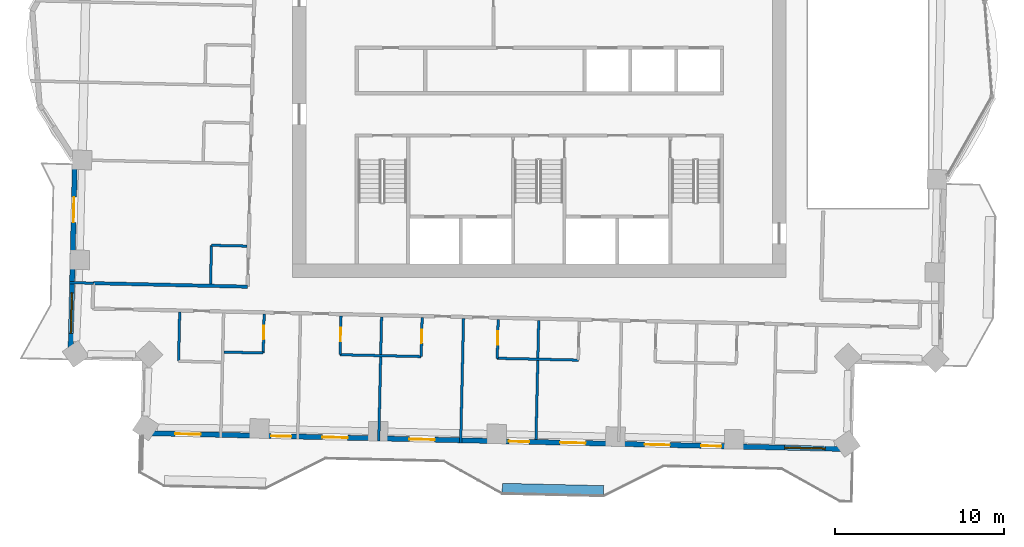
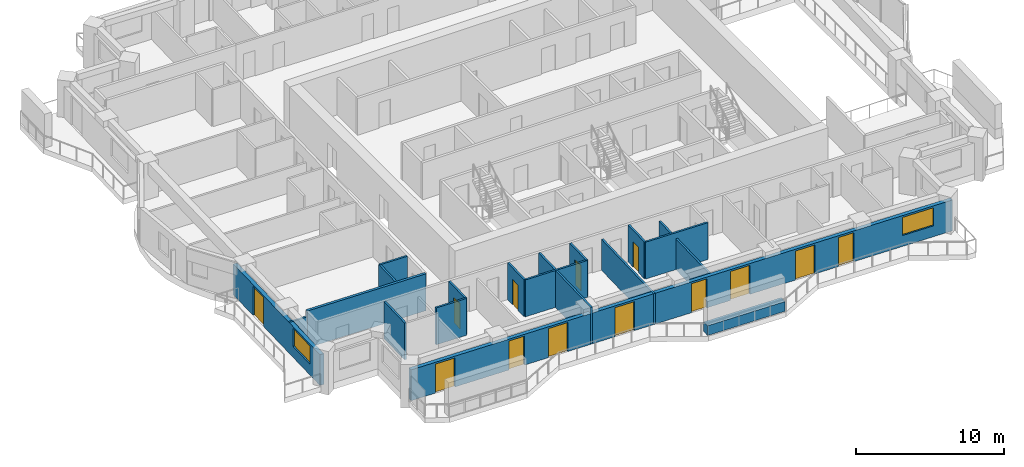
# One storey, part 4 of 14: 18 walls, 13 doors, 2 windows, 15 openings.
"""IFC4 building model written with IfcOpenShell, lengths in metres."""

from ifc_helpers import new_model, si_unit, direction, frame, frame_2d, origin, place, context, subcontext, project, spatial, rectangle, extrude, material, layer, layer_set, type_object, element, fill, save


model = new_model("IFC4")

# Units and contexts
model_context = context("Model", 3, precision=1e-05, world=origin(), true_north=direction((0.0, 1.0)))
body_context = subcontext(model_context, "Body", "Model", "MODEL_VIEW")
ifc_project = project(units=[si_unit("LENGTHUNIT", "METRE"), si_unit("AREAUNIT", "SQUARE_METRE"), si_unit("VOLUMEUNIT", "CUBIC_METRE"), si_unit("PLANEANGLEUNIT", "RADIAN"), si_unit("MASSUNIT", "GRAM", prefix="KILO")], contexts=[model_context])

# Site, building, storey
site_placement = place(None, origin())
site = spatial("IfcSite", under=ifc_project, at=site_placement, CompositionType="ELEMENT")
building_placement = place(site_placement, origin())
building = spatial("IfcBuilding", under=site, at=building_placement, Name="Mangrove Gate Tower", CompositionType="ELEMENT")
storey_placement = place(building_placement, frame((0.0, 0.0, 205.10009765625)))
storey = spatial("IfcBuildingStorey", under=building, at=storey_placement, Name="L52", CompositionType="ELEMENT", Elevation=205.10009765625)

# Wall
ifc_material_1 = material(Name="Gypsum board on steel stud, EI 60", Category="steel")
ifc_layer_1 = layer(ifc_material_1, 0.199951171875)
ifc_layer_set_1 = layer_set([ifc_layer_1], Name="Corridor wall EI 60")
wall_type_1 = type_object("IfcWallType", Name="Corridor wall EI 60", PredefinedType="PARTITIONING", material=ifc_layer_set_1)
wall_1_placement = place(storey_placement, frame((-26.386962890625, -11.94091796875, 0.0), z_axis=(0.0, 0.0, 1.0), x_axis=(0.999741076645, -0.022754772455, 0.0)))
element("IfcWall", 1, at=wall_1_placement, inside=storey, type_object=wall_type_1, Name="WALL-L52-028", PredefinedType="PARTITIONING", context=body_context, shape_type="SweptSolid", body=[
    extrude(rectangle(XDim=9.141357421875, YDim=0.199951171875, at=frame_2d((4.57080078125, 0.0))), origin(), (0.0, 0.0, 1.0), 3.0498046875),
])

# Wall, openings, door, window
ifc_material_2 = material(Name="Limestone", Category="masonry")
ifc_layer_2 = layer(ifc_material_2, 0.0400390625, Name="Limestone cladding")
ifc_material_3 = material(Name="Ventilated air gap")
ifc_layer_3 = layer(ifc_material_3, 0.0400390625, Name="Ventilated cavity")
ifc_material_4 = material(Name="Mineral wool insulation")
ifc_layer_4 = layer(ifc_material_4, 0.06005859375, Name="Insulation")
ifc_material_5 = material(Name="Breather membrane")
ifc_layer_5 = layer(ifc_material_5, 0.001953125, Name="Breather membrane")
ifc_material_6 = material(Name="Concrete C20/25 blockwork", Category="masonry")
ifc_layer_6 = layer(ifc_material_6, 0.14990234375, Name="Blockwork backing wall")
ifc_material_7 = material(Name="Gypsum plaster")
ifc_layer_7 = layer(ifc_material_7, 0.008056640625, Name="Internal plaster")
ifc_layer_set_2 = layer_set([ifc_layer_2, ifc_layer_3, ifc_layer_4, ifc_layer_5, ifc_layer_6, ifc_layer_7], Name="External wall 300 limestone cladding")
wall_type_2 = type_object("IfcWallType", Name="External wall 300 limestone cladding", PredefinedType="SOLIDWALL", material=ifc_layer_set_2)
wall_2_placement = place(storey_placement, frame((-27.458984375, -4.091064453125, 0.0), z_axis=(0.0, 0.0, 1.0), x_axis=(-0.022668325129, -0.999743040504, 0.0)))
wall_2 = element("IfcWall", 2, at=wall_2_placement, inside=storey, type_object=wall_type_2, Name="WALL-L52-W10s1", PredefinedType="SOLIDWALL", context=body_context, shape_type="SweptSolid", body=[
    extrude(rectangle(XDim=12.22412109375, YDim=0.300048828125, at=frame_2d((6.112060546875, 0.0))), origin(), (0.0, 0.0, 1.0), 2.5498046875),
])
opening_1_placement = place(wall_2_placement, frame((2.756103515625, 0.0, 0.0)))
opening_1 = element("IfcOpeningElement", 3, at=opening_1_placement, cuts=wall_2, Name="Opening BD1", PredefinedType="OPENING", context=body_context, shape_type="SweptSolid", body=[
    extrude(rectangle(XDim=1.5, YDim=2.39990234375, at=frame_2d((0.75, 1.199951171875))), frame((0.0, 0.159912109375, 0.0), z_axis=(0.0, -1.0, 0.0), x_axis=(1.0, 0.0, 0.0)), (0.0, 0.0, 1.0), 0.320068359375),
])
opening_2_placement = place(wall_2_placement, frame((8.425048828125, 0.0, 0.89990234375)))
opening_2 = element("IfcOpeningElement", 4, at=opening_2_placement, cuts=wall_2, Name="Opening W2", PredefinedType="OPENING", context=body_context, shape_type="SweptSolid", body=[
    extrude(rectangle(XDim=2.39990234375, YDim=1.5, at=frame_2d((1.199951171875, 0.75))), frame((0.0, 0.159912109375, 0.0), z_axis=(0.0, -1.0, 0.0), x_axis=(1.0, 0.0, 0.0)), (0.0, 0.0, 1.0), 0.320068359375),
])
ifc_material_8 = material(Name="Aluminium frame with laminated clear glass", Category="aluminium")
door_type_1 = type_object("IfcDoorType", Name="Balcony sliding door 1500x2400", OperationType="SLIDING_TO_LEFT", PredefinedType="DOOR", material=ifc_material_8)
door_1_placement = place(opening_1_placement, origin())
door_1 = element("IfcDoor", 5, at=door_1_placement, inside=storey, type_object=door_type_1, Name="DOOR-L52-W10-1", OperationType="SLIDING_TO_LEFT", OverallHeight=2.39990234375, OverallWidth=1.5, PredefinedType="DOOR", context=body_context, shape_type="SweptSolid", body=[
    extrude(rectangle(XDim=1.5, YDim=2.39990234375, at=frame_2d((0.75, 1.199951171875))), frame((0.0, 0.02490234375, 0.0), z_axis=(0.0, -1.0, 0.0), x_axis=(1.0, 0.0, 0.0)), (0.0, 0.0, 1.0), 0.050048828125),
])
fill(opening_1, door_1)
ifc_material_9 = material(Name="Aluminium frame with double-glazed low-e glass", Category="aluminium")
window_type = type_object("IfcWindowType", Name="Corner room window 2400x1500", PartitioningType="DOUBLE_PANEL_VERTICAL", PredefinedType="WINDOW", material=ifc_material_9)
window_1_placement = place(opening_2_placement, origin())
window_1 = element("IfcWindow", 6, at=window_1_placement, inside=storey, type_object=window_type, Name="WIN-L52-W10-2", OverallHeight=1.5, OverallWidth=2.39990234375, PartitioningType="DOUBLE_PANEL_VERTICAL", PredefinedType="WINDOW", context=body_context, shape_type="SweptSolid", body=[
    extrude(rectangle(XDim=2.39990234375, YDim=1.5, at=frame_2d((1.199951171875, 0.75))), frame((0.0, 0.030029296875, 0.0), z_axis=(0.0, -1.0, 0.0), x_axis=(1.0, 0.0, 0.0)), (0.0, 0.0, 1.0), 0.06005859375),
])
fill(opening_2, window_1)

# Wall, openings, doors, window
wall_3_placement = place(storey_placement, frame((-23.43701171875, -20.81005859375, 0.0), z_axis=(0.0, 0.0, 1.0), x_axis=(0.999742269115, -0.022702320244, 0.0)))
wall_3 = element("IfcWall", 7, at=wall_3_placement, inside=storey, type_object=wall_type_2, Name="WALL-L52-S13", PredefinedType="SOLIDWALL", context=body_context, shape_type="SweptSolid", body=[
    extrude(rectangle(XDim=41.84375, YDim=0.300048828125, at=frame_2d((20.921875, 0.0))), origin(), (0.0, 0.0, 1.0), 2.5498046875),
])
opening_3_placement = place(wall_3_placement, frame((1.89892578125, 0.0, 0.0)))
opening_3 = element("IfcOpeningElement", 8, at=opening_3_placement, cuts=wall_3, Name="Opening BD1", PredefinedType="OPENING", context=body_context, shape_type="SweptSolid", body=[
    extrude(rectangle(XDim=1.5, YDim=2.39990234375, at=frame_2d((0.75, 1.199951171875))), frame((0.0, 0.159912109375, 0.0), z_axis=(0.0, -1.0, 0.0), x_axis=(1.0, 0.0, 0.0)), (0.0, 0.0, 1.0), 0.320068359375),
])
opening_4_placement = place(wall_3_placement, frame((7.574951171875, 0.0, 0.0)))
opening_4 = element("IfcOpeningElement", 9, at=opening_4_placement, cuts=wall_3, Name="Opening BD2", PredefinedType="OPENING", context=body_context, shape_type="SweptSolid", body=[
    extrude(rectangle(XDim=1.199951171875, YDim=2.39990234375, at=frame_2d((0.60009765625, 1.199951171875))), frame((0.0, 0.159912109375, 0.0), z_axis=(0.0, -1.0, 0.0), x_axis=(1.0, 0.0, 0.0)), (0.0, 0.0, 1.0), 0.320068359375),
])
opening_5_placement = place(wall_3_placement, frame((10.612060546875, 0.0, 0.0)))
opening_5 = element("IfcOpeningElement", 10, at=opening_5_placement, cuts=wall_3, Name="Opening BD1", PredefinedType="OPENING", context=body_context, shape_type="SweptSolid", body=[
    extrude(rectangle(XDim=1.5, YDim=2.39990234375, at=frame_2d((0.75, 1.199951171875))), frame((0.0, 0.159912109375, 0.0), z_axis=(0.0, -1.0, 0.0), x_axis=(1.0, 0.0, 0.0)), (0.0, 0.0, 1.0), 0.320068359375),
])
opening_6_placement = place(wall_3_placement, frame((15.761962890625, 0.0, 0.0)))
opening_6 = element("IfcOpeningElement", 11, at=opening_6_placement, cuts=wall_3, Name="Opening BD1", PredefinedType="OPENING", context=body_context, shape_type="SweptSolid", body=[
    extrude(rectangle(XDim=1.5, YDim=2.39990234375, at=frame_2d((0.75, 1.199951171875))), frame((0.0, 0.159912109375, 0.0), z_axis=(0.0, -1.0, 0.0), x_axis=(1.0, 0.0, 0.0)), (0.0, 0.0, 1.0), 0.320068359375),
])
opening_7_placement = place(wall_3_placement, frame((21.64794921875, 0.0, 0.0)))
opening_7 = element("IfcOpeningElement", 12, at=opening_7_placement, cuts=wall_3, Name="Opening BD2", PredefinedType="OPENING", context=body_context, shape_type="SweptSolid", body=[
    extrude(rectangle(XDim=1.199951171875, YDim=2.39990234375, at=frame_2d((0.60009765625, 1.199951171875))), frame((0.0, 0.159912109375, 0.0), z_axis=(0.0, -1.0, 0.0), x_axis=(1.0, 0.0, 0.0)), (0.0, 0.0, 1.0), 0.320068359375),
])
opening_8_placement = place(wall_3_placement, frame((24.68505859375, 0.0, 0.0)))
opening_8 = element("IfcOpeningElement", 13, at=opening_8_placement, cuts=wall_3, Name="Opening BD1", PredefinedType="OPENING", context=body_context, shape_type="SweptSolid", body=[
    extrude(rectangle(XDim=1.5, YDim=2.39990234375, at=frame_2d((0.75, 1.199951171875))), frame((0.0, 0.159912109375, 0.0), z_axis=(0.0, -1.0, 0.0), x_axis=(1.0, 0.0, 0.0)), (0.0, 0.0, 1.0), 0.320068359375),
])
opening_9_placement = place(wall_3_placement, frame((29.68505859375, 0.0, 0.0)))
opening_9 = element("IfcOpeningElement", 14, at=opening_9_placement, cuts=wall_3, Name="Opening BD1", PredefinedType="OPENING", context=body_context, shape_type="SweptSolid", body=[
    extrude(rectangle(XDim=1.5, YDim=2.39990234375, at=frame_2d((0.75, 1.199951171875))), frame((0.0, 0.159912109375, 0.0), z_axis=(0.0, -1.0, 0.0), x_axis=(1.0, 0.0, 0.0)), (0.0, 0.0, 1.0), 0.320068359375),
])
opening_10_placement = place(wall_3_placement, frame((33.02197265625, 0.0, 0.0)))
opening_10 = element("IfcOpeningElement", 15, at=opening_10_placement, cuts=wall_3, Name="Opening BD2", PredefinedType="OPENING", context=body_context, shape_type="SweptSolid", body=[
    extrude(rectangle(XDim=1.199951171875, YDim=2.39990234375, at=frame_2d((0.60009765625, 1.199951171875))), frame((0.0, 0.159912109375, 0.0), z_axis=(0.0, -1.0, 0.0), x_axis=(1.0, 0.0, 0.0)), (0.0, 0.0, 1.0), 0.320068359375),
])
opening_11_placement = place(wall_3_placement, frame((37.97412109375, 0.0, 0.89990234375)))
opening_11 = element("IfcOpeningElement", 16, at=opening_11_placement, cuts=wall_3, Name="Opening W2", PredefinedType="OPENING", context=body_context, shape_type="SweptSolid", body=[
    extrude(rectangle(XDim=2.39990234375, YDim=1.5, at=frame_2d((1.199951171875, 0.75))), frame((0.0, 0.159912109375, 0.0), z_axis=(0.0, -1.0, 0.0), x_axis=(1.0, 0.0, 0.0)), (0.0, 0.0, 1.0), 0.320068359375),
])
ifc_material_10 = material(Name="Aluminium frame with laminated clear glass", Category="aluminium")
door_type_2 = type_object("IfcDoorType", Name="Balcony sliding door 1200x2400", OperationType="SLIDING_TO_LEFT", PredefinedType="DOOR", material=ifc_material_10)
door_2_placement = place(opening_4_placement, origin())
door_2 = element("IfcDoor", 17, at=door_2_placement, inside=storey, type_object=door_type_2, Name="DOOR-L52-S13-2", OperationType="SLIDING_TO_LEFT", OverallHeight=2.39990234375, OverallWidth=1.199951171875, PredefinedType="DOOR", context=body_context, shape_type="SweptSolid", body=[
    extrude(rectangle(XDim=1.199951171875, YDim=2.39990234375, at=frame_2d((0.60009765625, 1.199951171875))), frame((0.0, 0.02490234375, 0.0), z_axis=(0.0, -1.0, 0.0), x_axis=(1.0, 0.0, 0.0)), (0.0, 0.0, 1.0), 0.050048828125),
])
fill(opening_4, door_2)
door_3_placement = place(opening_7_placement, origin())
door_3 = element("IfcDoor", 18, at=door_3_placement, inside=storey, type_object=door_type_2, Name="DOOR-L52-S13-5", OperationType="SLIDING_TO_LEFT", OverallHeight=2.39990234375, OverallWidth=1.199951171875, PredefinedType="DOOR", context=body_context, shape_type="SweptSolid", body=[
    extrude(rectangle(XDim=1.199951171875, YDim=2.39990234375, at=frame_2d((0.60009765625, 1.199951171875))), frame((0.0, 0.02490234375, 0.0), z_axis=(0.0, -1.0, 0.0), x_axis=(1.0, 0.0, 0.0)), (0.0, 0.0, 1.0), 0.050048828125),
])
fill(opening_7, door_3)
door_4_placement = place(opening_10_placement, origin())
door_4 = element("IfcDoor", 19, at=door_4_placement, inside=storey, type_object=door_type_2, Name="DOOR-L52-S13-8", OperationType="SLIDING_TO_LEFT", OverallHeight=2.39990234375, OverallWidth=1.199951171875, PredefinedType="DOOR", context=body_context, shape_type="SweptSolid", body=[
    extrude(rectangle(XDim=1.199951171875, YDim=2.39990234375, at=frame_2d((0.60009765625, 1.199951171875))), frame((0.0, 0.02490234375, 0.0), z_axis=(0.0, -1.0, 0.0), x_axis=(1.0, 0.0, 0.0)), (0.0, 0.0, 1.0), 0.050048828125),
])
fill(opening_10, door_4)
door_5_placement = place(opening_3_placement, origin())
door_5 = element("IfcDoor", 20, at=door_5_placement, inside=storey, type_object=door_type_1, Name="DOOR-L52-S13-1", OperationType="SLIDING_TO_LEFT", OverallHeight=2.39990234375, OverallWidth=1.5, PredefinedType="DOOR", context=body_context, shape_type="SweptSolid", body=[
    extrude(rectangle(XDim=1.5, YDim=2.39990234375, at=frame_2d((0.75, 1.199951171875))), frame((0.0, 0.02490234375, 0.0), z_axis=(0.0, -1.0, 0.0), x_axis=(1.0, 0.0, 0.0)), (0.0, 0.0, 1.0), 0.050048828125),
])
fill(opening_3, door_5)
door_6_placement = place(opening_5_placement, origin())
door_6 = element("IfcDoor", 21, at=door_6_placement, inside=storey, type_object=door_type_1, Name="DOOR-L52-S13-3", OperationType="SLIDING_TO_LEFT", OverallHeight=2.39990234375, OverallWidth=1.5, PredefinedType="DOOR", context=body_context, shape_type="SweptSolid", body=[
    extrude(rectangle(XDim=1.5, YDim=2.39990234375, at=frame_2d((0.75, 1.199951171875))), frame((0.0, 0.02490234375, 0.0), z_axis=(0.0, -1.0, 0.0), x_axis=(1.0, 0.0, 0.0)), (0.0, 0.0, 1.0), 0.050048828125),
])
fill(opening_5, door_6)
door_7_placement = place(opening_6_placement, origin())
door_7 = element("IfcDoor", 22, at=door_7_placement, inside=storey, type_object=door_type_1, Name="DOOR-L52-S13-4", OperationType="SLIDING_TO_LEFT", OverallHeight=2.39990234375, OverallWidth=1.5, PredefinedType="DOOR", context=body_context, shape_type="SweptSolid", body=[
    extrude(rectangle(XDim=1.5, YDim=2.39990234375, at=frame_2d((0.75, 1.199951171875))), frame((0.0, 0.02490234375, 0.0), z_axis=(0.0, -1.0, 0.0), x_axis=(1.0, 0.0, 0.0)), (0.0, 0.0, 1.0), 0.050048828125),
])
fill(opening_6, door_7)
door_8_placement = place(opening_8_placement, origin())
door_8 = element("IfcDoor", 23, at=door_8_placement, inside=storey, type_object=door_type_1, Name="DOOR-L52-S13-6", OperationType="SLIDING_TO_LEFT", OverallHeight=2.39990234375, OverallWidth=1.5, PredefinedType="DOOR", context=body_context, shape_type="SweptSolid", body=[
    extrude(rectangle(XDim=1.5, YDim=2.39990234375, at=frame_2d((0.75, 1.199951171875))), frame((0.0, 0.02490234375, 0.0), z_axis=(0.0, -1.0, 0.0), x_axis=(1.0, 0.0, 0.0)), (0.0, 0.0, 1.0), 0.050048828125),
])
fill(opening_8, door_8)
door_9_placement = place(opening_9_placement, origin())
door_9 = element("IfcDoor", 24, at=door_9_placement, inside=storey, type_object=door_type_1, Name="DOOR-L52-S13-7", OperationType="SLIDING_TO_LEFT", OverallHeight=2.39990234375, OverallWidth=1.5, PredefinedType="DOOR", context=body_context, shape_type="SweptSolid", body=[
    extrude(rectangle(XDim=1.5, YDim=2.39990234375, at=frame_2d((0.75, 1.199951171875))), frame((0.0, 0.02490234375, 0.0), z_axis=(0.0, -1.0, 0.0), x_axis=(1.0, 0.0, 0.0)), (0.0, 0.0, 1.0), 0.050048828125),
])
fill(opening_9, door_9)
window_2_placement = place(opening_11_placement, origin())
window_2 = element("IfcWindow", 25, at=window_2_placement, inside=storey, type_object=window_type, Name="WIN-L52-S13-9", OverallHeight=1.5, OverallWidth=2.39990234375, PartitioningType="DOUBLE_PANEL_VERTICAL", PredefinedType="WINDOW", context=body_context, shape_type="SweptSolid", body=[
    extrude(rectangle(XDim=2.39990234375, YDim=1.5, at=frame_2d((1.199951171875, 0.75))), frame((0.0, 0.030029296875, 0.0), z_axis=(0.0, -1.0, 0.0), x_axis=(1.0, 0.0, 0.0)), (0.0, 0.0, 1.0), 0.06005859375),
])
fill(opening_11, window_2)

# Walls
ifc_material_11 = material(Name="Gypsum board on steel stud, EI 60", Category="steel")
ifc_layer_8 = layer(ifc_material_11, 0.14990234375)
ifc_layer_set_3 = layer_set([ifc_layer_8], Name="Party wall 150 EI 60")
wall_type_3 = type_object("IfcWallType", Name="Party wall 150 EI 60", PredefinedType="PARTITIONING", material=ifc_layer_set_3)
wall_4_placement = place(storey_placement, frame((-9.491943359375, -21.277099609375, 0.0), z_axis=(0.0, 0.0, 1.0), x_axis=(0.022719896304, 0.99974186984, 0.0)))
element("IfcWall", 26, at=wall_4_placement, inside=storey, type_object=wall_type_3, Name="WALL-L52-003", PredefinedType="PARTITIONING", context=body_context, shape_type="SweptSolid", body=[
    extrude(rectangle(XDim=7.35009765625, YDim=0.14990234375, at=frame_2d((3.675048828125, 0.0))), origin(), (0.0, 0.0, 1.0), 3.0498046875),
])
wall_5_placement = place(storey_placement, frame((-4.64306640625, -21.386962890625, 0.0), z_axis=(0.0, 0.0, 1.0), x_axis=(0.022587849492, 0.99974486198, 0.0)))
element("IfcWall", 27, at=wall_5_placement, inside=storey, type_object=wall_type_3, Name="WALL-L52-004", PredefinedType="PARTITIONING", context=body_context, shape_type="SweptSolid", body=[
    extrude(rectangle(XDim=7.349853515625, YDim=0.14990234375, at=frame_2d((3.6748046875, 0.0))), origin(), (0.0, 0.0, 1.0), 2.5498046875),
])
wall_6_placement = place(storey_placement, frame((-0.18798828125, -21.18798828125, 0.0), z_axis=(0.0, 0.0, 1.0), x_axis=(0.022682859663, 0.99974271084, 0.0)))
element("IfcWall", 28, at=wall_6_placement, inside=storey, type_object=wall_type_3, Name="WALL-L52-005", PredefinedType="PARTITIONING", context=body_context, shape_type="SweptSolid", body=[
    extrude(rectangle(XDim=7.0498046875, YDim=0.14990234375, at=frame_2d((3.52490234375, 0.0))), origin(), (0.0, 0.0, 1.0), 2.5498046875),
])
wall_7_placement = place(storey_placement, frame((-21.337890625, -16.556884765625, 0.0), z_axis=(0.0, 0.0, 1.0), x_axis=(0.022732880677, 0.999741574676, 0.0)))
element("IfcWall", 29, at=wall_7_placement, inside=storey, type_object=wall_type_3, Name="WALL-L52-010", PredefinedType="PARTITIONING", context=body_context, shape_type="SweptSolid", body=[
    extrude(rectangle(XDim=2.899658203125, YDim=0.14990234375, at=frame_2d((1.44970703125, 0.0))), origin(), (0.0, 0.0, 1.0), 3.0498046875),
])
wall_8_placement = place(storey_placement, frame((-18.652099609375, -16.01806640625, 0.0), z_axis=(0.0, 0.0, 1.0), x_axis=(0.999749797124, -0.022368351553, 0.0)))
element("IfcWall", 30, at=wall_8_placement, inside=storey, type_object=wall_type_3, Name="WALL-L52-013", PredefinedType="PARTITIONING", context=body_context, shape_type="SweptSolid", body=[
    extrude(rectangle(XDim=2.32470703125, YDim=0.14990234375, at=frame_2d((1.162353515625, 0.0))), origin(), (0.0, 0.0, 1.0), 3.0498046875),
])

# Wall, opening, door
wall_9_placement = place(storey_placement, frame((-16.325927734375, -16.070068359375, 0.0), z_axis=(0.0, 0.0, 1.0), x_axis=(0.022612884682, 0.999744296031, 0.0)))
wall_9 = element("IfcWall", 31, at=wall_9_placement, inside=storey, type_object=wall_type_3, Name="WALL-L52-014", PredefinedType="PARTITIONING", context=body_context, shape_type="SweptSolid", body=[
    extrude(rectangle(XDim=2.299560546875, YDim=0.14990234375, at=frame_2d((1.14990234375, 0.0))), origin(), (0.0, 0.0, 1.0), 3.0498046875),
])
opening_12_placement = place(wall_9_placement, frame((0.800048828125, 0.0, 0.0)))
opening_12 = element("IfcOpeningElement", 32, at=opening_12_placement, cuts=wall_9, Name="Opening ED", PredefinedType="OPENING", context=body_context, shape_type="SweptSolid", body=[
    extrude(rectangle(XDim=0.800048828125, YDim=2.10009765625, at=frame_2d((0.39990234375, 1.050048828125))), frame((0.0, 0.0849609375, 0.0), z_axis=(0.0, -1.0, 0.0), x_axis=(1.0, 0.0, 0.0)), (0.0, 0.0, 1.0), 0.169921875),
])
ifc_material_12 = material(Name="Timber door leaf", Category="wood")
door_type_3 = type_object("IfcDoorType", Name="En-suite door 800", OperationType="SINGLE_SWING_LEFT", PredefinedType="DOOR", material=ifc_material_12)
door_10_placement = place(opening_12_placement, origin())
door_10 = element("IfcDoor", 33, at=door_10_placement, inside=storey, type_object=door_type_3, Name="DOOR-L52-ENS-c101", OperationType="SINGLE_SWING_LEFT", OverallHeight=2.10009765625, OverallWidth=0.800048828125, PredefinedType="DOOR", context=body_context, shape_type="SweptSolid", body=[
    extrude(rectangle(XDim=0.800048828125, YDim=2.10009765625, at=frame_2d((0.39990234375, 1.050048828125))), frame((0.0, 0.02490234375, 0.0), z_axis=(0.0, -1.0, 0.0), x_axis=(1.0, 0.0, 0.0)), (0.0, 0.0, 1.0), 0.050048828125),
])
fill(opening_12, door_10)

# Wall
wall_10_placement = place(storey_placement, frame((-11.779052734375, -16.174072265625, 0.0), z_axis=(0.0, 0.0, 1.0), x_axis=(0.999742701292, -0.022683280499, 0.0)))
element("IfcWall", 34, at=wall_10_placement, inside=storey, type_object=wall_type_3, Name="WALL-L52-015", PredefinedType="PARTITIONING", context=body_context, shape_type="SweptSolid", body=[
    extrude(rectangle(XDim=4.80029296875, YDim=0.14990234375, at=frame_2d((2.400146484375, 0.0))), origin(), (0.0, 0.0, 1.0), 3.0498046875),
])

# Wall, opening, door
wall_11_placement = place(storey_placement, frame((-11.777099609375, -16.174072265625, 0.0), z_axis=(0.0, 0.0, 1.0), x_axis=(0.022603288534, 0.999744513037, 0.0)))
wall_11 = element("IfcWall", 35, at=wall_11_placement, inside=storey, type_object=wall_type_3, Name="WALL-L52-016", PredefinedType="PARTITIONING", context=body_context, shape_type="SweptSolid", body=[
    extrude(rectangle(XDim=2.300537109375, YDim=0.14990234375, at=frame_2d((1.150390625, 0.0))), origin(), (0.0, 0.0, 1.0), 3.0498046875),
])
opening_13_placement = place(wall_11_placement, frame((0.800048828125, 0.0, 0.0)))
opening_13 = element("IfcOpeningElement", 36, at=opening_13_placement, cuts=wall_11, Name="Opening ED", PredefinedType="OPENING", context=body_context, shape_type="SweptSolid", body=[
    extrude(rectangle(XDim=0.800048828125, YDim=2.10009765625, at=frame_2d((0.39990234375, 1.050048828125))), frame((0.0, 0.0849609375, 0.0), z_axis=(0.0, -1.0, 0.0), x_axis=(1.0, 0.0, 0.0)), (0.0, 0.0, 1.0), 0.169921875),
])
door_11_placement = place(opening_13_placement, origin())
door_11 = element("IfcDoor", 37, at=door_11_placement, inside=storey, type_object=door_type_3, Name="DOOR-L52-ENS-c102", OperationType="SINGLE_SWING_RIGHT", OverallHeight=2.10009765625, OverallWidth=0.800048828125, PredefinedType="DOOR", context=body_context, shape_type="SweptSolid", body=[
    extrude(rectangle(XDim=0.800048828125, YDim=2.10009765625, at=frame_2d((0.39990234375, 1.050048828125))), frame((0.0, 0.02490234375, 0.0), z_axis=(0.0, -1.0, 0.0), x_axis=(1.0, 0.0, 0.0)), (0.0, 0.0, 1.0), 0.050048828125),
])
fill(opening_13, door_11)

wall_12_placement = place(storey_placement, frame((-6.97802734375, -16.282958984375, 0.0), z_axis=(0.0, 0.0, 1.0), x_axis=(0.022603288534, 0.999744513037, 0.0)))
wall_12 = element("IfcWall", 38, at=wall_12_placement, inside=storey, type_object=wall_type_3, Name="WALL-L52-017", PredefinedType="PARTITIONING", context=body_context, shape_type="SweptSolid", body=[
    extrude(rectangle(XDim=2.300537109375, YDim=0.14990234375, at=frame_2d((1.150390625, 0.0))), origin(), (0.0, 0.0, 1.0), 3.0498046875),
])
opening_14_placement = place(wall_12_placement, frame((0.800048828125, 0.0, 0.0)))
opening_14 = element("IfcOpeningElement", 39, at=opening_14_placement, cuts=wall_12, Name="Opening ED", PredefinedType="OPENING", context=body_context, shape_type="SweptSolid", body=[
    extrude(rectangle(XDim=0.800048828125, YDim=2.10009765625, at=frame_2d((0.39990234375, 1.050048828125))), frame((0.0, 0.0849609375, 0.0), z_axis=(0.0, -1.0, 0.0), x_axis=(1.0, 0.0, 0.0)), (0.0, 0.0, 1.0), 0.169921875),
])
door_12_placement = place(opening_14_placement, origin())
door_12 = element("IfcDoor", 40, at=door_12_placement, inside=storey, type_object=door_type_3, Name="DOOR-L52-ENS-c103", OperationType="SINGLE_SWING_LEFT", OverallHeight=2.10009765625, OverallWidth=0.800048828125, PredefinedType="DOOR", context=body_context, shape_type="SweptSolid", body=[
    extrude(rectangle(XDim=0.800048828125, YDim=2.10009765625, at=frame_2d((0.39990234375, 1.050048828125))), frame((0.0, 0.02490234375, 0.0), z_axis=(0.0, -1.0, 0.0), x_axis=(1.0, 0.0, 0.0)), (0.0, 0.0, 1.0), 0.050048828125),
])
fill(opening_14, door_12)

# Wall
wall_13_placement = place(storey_placement, frame((-2.48095703125, -16.385009765625, 0.0), z_axis=(0.0, 0.0, 1.0), x_axis=(0.999742570398, -0.022689048768, 0.0)))
element("IfcWall", 41, at=wall_13_placement, inside=storey, type_object=wall_type_3, Name="WALL-L52-018", PredefinedType="PARTITIONING", context=body_context, shape_type="SweptSolid", body=[
    extrude(rectangle(XDim=4.799072265625, YDim=0.14990234375, at=frame_2d((2.3994140625, 0.0))), origin(), (0.0, 0.0, 1.0), 3.0498046875),
])

# Wall, opening, door
wall_14_placement = place(storey_placement, frame((-2.47900390625, -16.385009765625, 0.0), z_axis=(0.0, 0.0, 1.0), x_axis=(0.022603288534, 0.999744513037, 0.0)))
wall_14 = element("IfcWall", 42, at=wall_14_placement, inside=storey, type_object=wall_type_3, Name="WALL-L52-019", PredefinedType="PARTITIONING", context=body_context, shape_type="SweptSolid", body=[
    extrude(rectangle(XDim=2.300537109375, YDim=0.14990234375, at=frame_2d((1.150390625, 0.0))), origin(), (0.0, 0.0, 1.0), 3.0498046875),
])
opening_15_placement = place(wall_14_placement, frame((0.800048828125, 0.0, 0.0)))
opening_15 = element("IfcOpeningElement", 43, at=opening_15_placement, cuts=wall_14, Name="Opening ED", PredefinedType="OPENING", context=body_context, shape_type="SweptSolid", body=[
    extrude(rectangle(XDim=0.800048828125, YDim=2.10009765625, at=frame_2d((0.39990234375, 1.050048828125))), frame((0.0, 0.0849609375, 0.0), z_axis=(0.0, -1.0, 0.0), x_axis=(1.0, 0.0, 0.0)), (0.0, 0.0, 1.0), 0.169921875),
])
door_13_placement = place(opening_15_placement, origin())
door_13 = element("IfcDoor", 44, at=door_13_placement, inside=storey, type_object=door_type_3, Name="DOOR-L52-ENS-c204", OperationType="SINGLE_SWING_RIGHT", OverallHeight=2.10009765625, OverallWidth=0.800048828125, PredefinedType="DOOR", context=body_context, shape_type="SweptSolid", body=[
    extrude(rectangle(XDim=0.800048828125, YDim=2.10009765625, at=frame_2d((0.39990234375, 1.050048828125))), frame((0.0, 0.02490234375, 0.0), z_axis=(0.0, -1.0, 0.0), x_axis=(1.0, 0.0, 0.0)), (0.0, 0.0, 1.0), 0.050048828125),
])
fill(opening_15, door_13)

# Walls
wall_15_placement = place(storey_placement, frame((-27.785888671875, -11.908935546875, 0.0), z_axis=(0.0, 0.0, 1.0), x_axis=(0.999740216184, -0.022792545827, 0.0)))
element("IfcWall", 45, at=wall_15_placement, inside=storey, type_object=wall_type_3, Name="WALL-L52-027", PredefinedType="PARTITIONING", context=body_context, shape_type="SweptSolid", body=[
    extrude(rectangle(XDim=1.403076171875, YDim=0.14990234375, at=frame_2d((0.70166015625, 0.0))), origin(), (0.0, 0.0, 1.0), 2.5498046875),
])
wall_16_placement = place(storey_placement, frame((-19.444091796875, -11.9990234375, 0.0), z_axis=(0.0, 0.0, 1.0), x_axis=(0.022603288534, 0.999744513037, 0.0)))
element("IfcWall", 46, at=wall_16_placement, inside=storey, type_object=wall_type_3, Name="WALL-L52-029", PredefinedType="PARTITIONING", context=body_context, shape_type="SweptSolid", body=[
    extrude(rectangle(XDim=2.300537109375, YDim=0.14990234375, at=frame_2d((1.150390625, 0.0))), origin(), (0.0, 0.0, 1.0), 3.0498046875),
])
wall_17_placement = place(storey_placement, frame((-19.39306640625, -9.698974609375, 0.0), z_axis=(0.0, 0.0, 1.0), x_axis=(0.999737616439, -0.022906293375, 0.0)))
element("IfcWall", 47, at=wall_17_placement, inside=storey, type_object=wall_type_3, Name="WALL-L52-034", PredefinedType="PARTITIONING", context=body_context, shape_type="SweptSolid", body=[
    extrude(rectangle(XDim=2.099609375, YDim=0.14990234375, at=frame_2d((1.0498046875, 0.0))), origin(), (0.0, 0.0, 1.0), 3.0498046875),
])
ifc_material_13 = material(Name="Concrete C32/40", Category="concrete")
ifc_layer_9 = layer(ifc_material_13, 0.199951171875, Name="Planter trough wall")
ifc_material_14 = material(Name="Bituminous waterproofing membrane")
ifc_layer_10 = layer(ifc_material_14, 0.0048828125, Name="Waterproofing")
ifc_material_15 = material(Name="Drainage board and gravel")
ifc_layer_11 = layer(ifc_material_15, 0.044921875, Name="Drainage layer")
ifc_material_16 = material(Name="Planting soil")
ifc_layer_12 = layer(ifc_material_16, 0.300048828125, Name="Growing medium")
ifc_layer_set_4 = layer_set([ifc_layer_9, ifc_layer_10, ifc_layer_11, ifc_layer_12], Name="Planter wall 550 C32/40")
wall_type_4 = type_object("IfcWallType", Name="Planter wall 550 C32/40", PredefinedType="USERDEFINED", material=ifc_layer_set_4)
wall_18_placement = place(storey_placement, frame((-2.18408203125, -24.05810546875, 0.0), z_axis=(0.0, 0.0, 1.0), x_axis=(0.999743178102, -0.022662255828, 0.0)))
element("IfcWall", 48, at=wall_18_placement, inside=storey, type_object=wall_type_4, Name="PLANTER L52 S1.1", ObjectType="PLANTER", PredefinedType="USERDEFINED", context=body_context, shape_type="SweptSolid", body=[
    extrude(rectangle(XDim=6.00048828125, YDim=0.550048828125, at=frame_2d((3.000244140625, 0.0))), origin(), (0.0, 0.0, 1.0), 0.7998046875),
])

save(model, "model.ifc")
